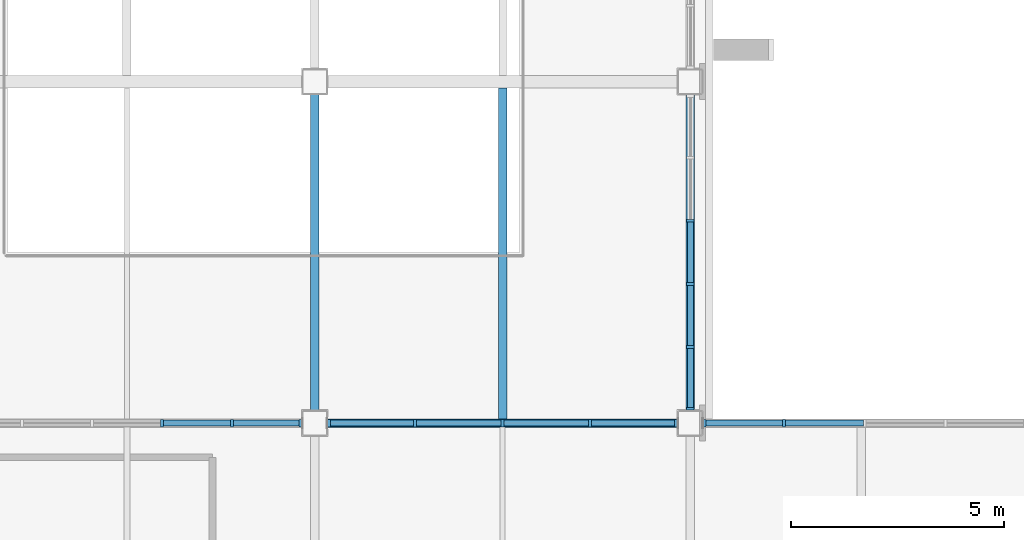
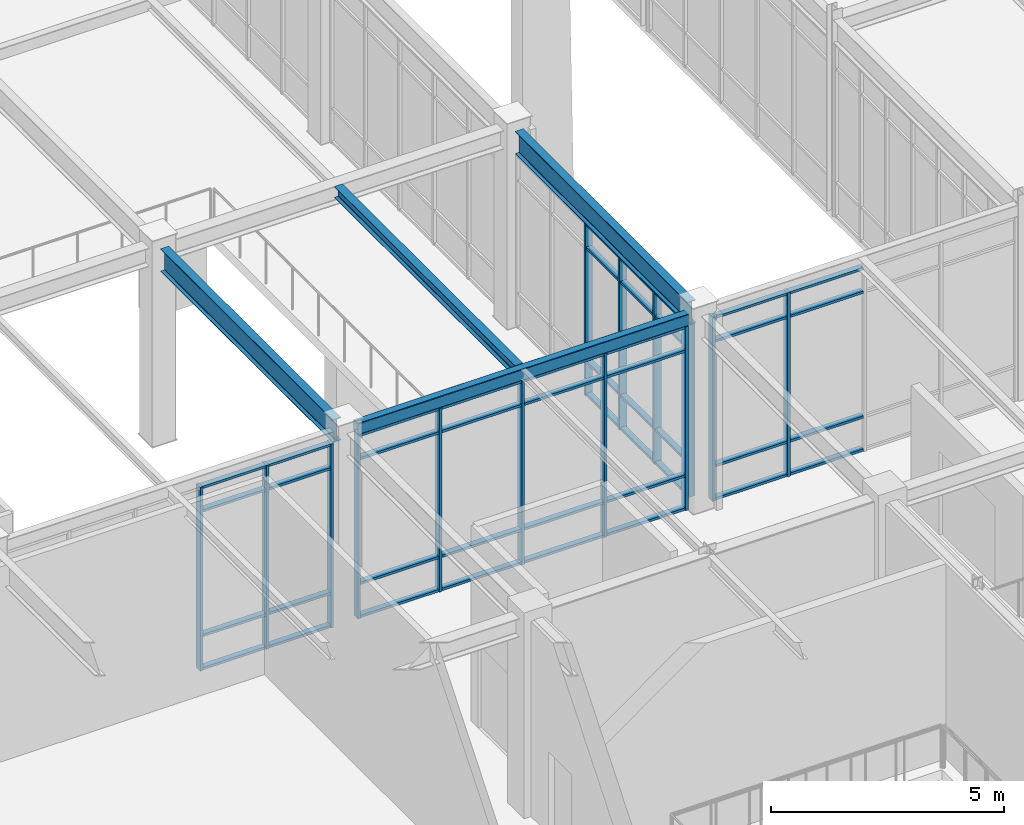
# One storey, part 33 of 184: 58 members, 4 beams, 4 elements without a shape of their own.
"""IFC4 building model written with IfcOpenShell, lengths in metres."""

from ifc_helpers import new_model, si_unit, direction, frame, origin, origin_2d, place, context, subcontext, project, spatial, rectangle, hollow_rectangle, i_section, extrude, material, material_profile, profile_set, type_object, element, aggregate, save


model = new_model("IFC4")

# Units and contexts
model_context = context("Model", 3, precision=1e-05, world=origin(), true_north=direction((0.0, 1.0)))
body_context = subcontext(model_context, "Body", "Model", "MODEL_VIEW")
ifc_project = project(units=[si_unit("LENGTHUNIT", "METRE"), si_unit("AREAUNIT", "SQUARE_METRE"), si_unit("VOLUMEUNIT", "CUBIC_METRE"), si_unit("PLANEANGLEUNIT", "RADIAN"), si_unit("MASSUNIT", "GRAM", prefix="KILO")], contexts=[model_context])

# Site, building, storey
site_placement = place(None, origin())
site = spatial("IfcSite", under=ifc_project, at=site_placement, CompositionType="ELEMENT")
building_placement = place(site_placement, origin())
building = spatial("IfcBuilding", under=site, at=building_placement, Name="Zhaolan Boulevard Law Courts", CompositionType="ELEMENT")
storey_placement = place(building_placement, frame((0.0, 0.0, 5.39990234375)))
storey = spatial("IfcBuildingStorey", under=building, at=storey_placement, Name="L01", CompositionType="ELEMENT", Elevation=5.39990234375)

# Curtain wall, members
ifc_material_1 = material(Name="Thermally broken aluminium and low-E glazing", Category="aluminium")
curtain_wall_type_1 = type_object("IfcCurtainWallType", Name="CURTAIN WALL M22", PredefinedType="USERDEFINED", material=ifc_material_1)
curtain_wall_1_placement = place(storey_placement, origin())
curtain_wall_1 = element("IfcCurtainWall", 1, at=curtain_wall_1_placement, inside=storey, type_object=curtain_wall_type_1, Name="Curtain Wall CW-L01-046", ObjectType="CURTAIN WALL", PredefinedType="USERDEFINED")
ifc_material_2 = material(Name="Fluorocarbon-coated aluminium 6063-T6", Category="aluminium")
ifc_material_profile_1 = material_profile(ifc_material_2, rectangle(XDim=0.179931640625, YDim=0.06494140625, at=origin_2d()), Name="AL65x180")
ifc_profile_set_1 = profile_set([ifc_material_profile_1], Name="Fluorocarbon-coated aluminium 6063-T6")
member_type_1 = type_object("IfcMemberType", Name="CWMULLION 65X180", PredefinedType="MULLION", material=ifc_profile_set_1)
member_1_placement = place(storey_placement, frame((34.865478515625, 30.0, 0.0), z_axis=(0.0, 0.0, 1.0), x_axis=(0.0, -1.0, 0.0)))
member_1 = element("IfcMember", 2, at=member_1_placement, type_object=member_type_1, Name="CW-L01-046 mullion 1", PredefinedType="MULLION", context=body_context, shape_type="SweptSolid", body=[
    extrude(rectangle(XDim=0.179931640625, YDim=0.06494140625, at=origin_2d()), origin(), (0.0, 0.0, 1.0), 4.822998046875),
])
member_2_placement = place(storey_placement, frame((33.2587890625, 30.0, 0.0), z_axis=(0.0, 0.0, 1.0), x_axis=(0.0, -1.0, 0.0)))
member_2 = element("IfcMember", 3, at=member_2_placement, type_object=member_type_1, Name="CW-L01-046 mullion 2", PredefinedType="MULLION", context=body_context, shape_type="SweptSolid", body=[
    extrude(rectangle(XDim=0.179931640625, YDim=0.06494140625, at=origin_2d()), origin(), (0.0, 0.0, 1.0), 4.822998046875),
])
member_3_placement = place(storey_placement, frame((31.61962890625, 30.0, 0.0), z_axis=(0.0, 0.0, 1.0), x_axis=(0.0, -1.0, 0.0)))
member_3 = element("IfcMember", 4, at=member_3_placement, type_object=member_type_1, Name="CW-L01-046 mullion 3", PredefinedType="MULLION", context=body_context, shape_type="SweptSolid", body=[
    extrude(rectangle(XDim=0.179931640625, YDim=0.06494140625, at=origin_2d()), origin(), (0.0, 0.0, 1.0), 4.822998046875),
])

ifc_material_3 = material(Name="Thermally broken aluminium and low-E glazing", Category="aluminium")
curtain_wall_type_2 = type_object("IfcCurtainWallType", Name="CURTAIN WALL M23", PredefinedType="USERDEFINED", material=ifc_material_3)
curtain_wall_2_placement = place(storey_placement, origin())
curtain_wall_2 = element("IfcCurtainWall", 5, at=curtain_wall_2_placement, inside=storey, type_object=curtain_wall_type_2, Name="Curtain Wall CW-L01-047", ObjectType="CURTAIN WALL", PredefinedType="USERDEFINED")
member_4_placement = place(storey_placement, frame((43.66552734375, 30.0, 0.0), z_axis=(0.0, 0.0, 1.0), x_axis=(0.0, -1.0, 0.0)))
member_4 = element("IfcMember", 6, at=member_4_placement, type_object=member_type_1, Name="CW-L01-047 mullion 1", PredefinedType="MULLION", context=body_context, shape_type="SweptSolid", body=[
    extrude(rectangle(XDim=0.179931640625, YDim=0.06494140625, at=origin_2d()), origin(), (0.0, 0.0, 1.0), 4.822998046875),
])
member_5_placement = place(storey_placement, frame((41.64892578125, 30.0, 0.0), z_axis=(0.0, 0.0, 1.0), x_axis=(0.0, -1.0, 0.0)))
member_5 = element("IfcMember", 7, at=member_5_placement, type_object=member_type_1, Name="CW-L01-047 mullion 2", PredefinedType="MULLION", context=body_context, shape_type="SweptSolid", body=[
    extrude(rectangle(XDim=0.179931640625, YDim=0.06494140625, at=origin_2d()), origin(), (0.0, 0.0, 1.0), 4.822998046875),
])
member_6_placement = place(storey_placement, frame((39.60009765625, 30.0, 0.0), z_axis=(0.0, 0.0, 1.0), x_axis=(0.0, -1.0, 0.0)))
member_6 = element("IfcMember", 8, at=member_6_placement, type_object=member_type_1, Name="CW-L01-047 mullion 3", PredefinedType="MULLION", context=body_context, shape_type="SweptSolid", body=[
    extrude(rectangle(XDim=0.179931640625, YDim=0.06494140625, at=origin_2d()), origin(), (0.0, 0.0, 1.0), 4.822998046875),
])
member_7_placement = place(storey_placement, frame((37.551025390625, 30.0, 0.0), z_axis=(0.0, 0.0, 1.0), x_axis=(0.0, -1.0, 0.0)))
member_7 = element("IfcMember", 9, at=member_7_placement, type_object=member_type_1, Name="CW-L01-047 mullion 4", PredefinedType="MULLION", context=body_context, shape_type="SweptSolid", body=[
    extrude(rectangle(XDim=0.179931640625, YDim=0.06494140625, at=origin_2d()), origin(), (0.0, 0.0, 1.0), 4.822998046875),
])
member_8_placement = place(storey_placement, frame((35.534423828125, 30.0, 0.0), z_axis=(0.0, 0.0, 1.0), x_axis=(0.0, -1.0, 0.0)))
member_8 = element("IfcMember", 10, at=member_8_placement, type_object=member_type_1, Name="CW-L01-047 mullion 5", PredefinedType="MULLION", context=body_context, shape_type="SweptSolid", body=[
    extrude(rectangle(XDim=0.179931640625, YDim=0.06494140625, at=origin_2d()), origin(), (0.0, 0.0, 1.0), 4.822998046875),
])

ifc_material_4 = material(Name="Thermally broken aluminium and low-E glazing", Category="aluminium")
curtain_wall_type_3 = type_object("IfcCurtainWallType", Name="CURTAIN WALL M24", PredefinedType="USERDEFINED", material=ifc_material_4)
curtain_wall_3_placement = place(storey_placement, origin())
curtain_wall_3 = element("IfcCurtainWall", 11, at=curtain_wall_3_placement, inside=storey, type_object=curtain_wall_type_3, Name="Curtain Wall CW-L01-048", ObjectType="CURTAIN WALL", PredefinedType="USERDEFINED")
member_9_placement = place(storey_placement, frame((46.19482421875, 30.0, 0.0), z_axis=(0.0, 0.0, 1.0), x_axis=(0.0, -1.0, 0.0)))
member_9 = element("IfcMember", 12, at=member_9_placement, type_object=member_type_1, Name="CW-L01-048 mullion 4", PredefinedType="MULLION", context=body_context, shape_type="SweptSolid", body=[
    extrude(rectangle(XDim=0.179931640625, YDim=0.06494140625, at=origin_2d()), origin(), (0.0, 0.0, 1.0), 4.822998046875),
])
member_10_placement = place(storey_placement, frame((44.33447265625, 30.0, 0.0), z_axis=(0.0, 0.0, 1.0), x_axis=(0.0, -1.0, 0.0)))
member_10 = element("IfcMember", 13, at=member_10_placement, type_object=member_type_1, Name="CW-L01-048 mullion 5", PredefinedType="MULLION", context=body_context, shape_type="SweptSolid", body=[
    extrude(rectangle(XDim=0.179931640625, YDim=0.06494140625, at=origin_2d()), origin(), (0.0, 0.0, 1.0), 4.822998046875),
])

ifc_material_5 = material(Name="Thermally broken aluminium and low-E glazing", Category="aluminium")
curtain_wall_type_4 = type_object("IfcCurtainWallType", Name="CURTAIN WALL M1", PredefinedType="USERDEFINED", material=ifc_material_5)
curtain_wall_4_placement = place(storey_placement, origin())
curtain_wall_4 = element("IfcCurtainWall", 14, at=curtain_wall_4_placement, inside=storey, type_object=curtain_wall_type_4, Name="Curtain Wall CW-L01-145", ObjectType="CURTAIN WALL", PredefinedType="USERDEFINED")
member_11_placement = place(storey_placement, frame((44.0, 30.33447265625, 0.0), z_axis=(0.0, 0.0, 1.0), x_axis=(-1.0, 0.0, 0.0)))
member_11 = element("IfcMember", 15, at=member_11_placement, type_object=member_type_1, Name="CW-L01-145 mullion 1", PredefinedType="MULLION", context=body_context, shape_type="SweptSolid", body=[
    extrude(rectangle(XDim=0.179931640625, YDim=0.06494140625, at=origin_2d()), origin(), (0.0, 0.0, 1.0), 4.523193359375),
])
member_12_placement = place(storey_placement, frame((44.0, 31.78125, 0.0), z_axis=(0.0, 0.0, 1.0), x_axis=(-1.0, 0.0, 0.0)))
member_12 = element("IfcMember", 16, at=member_12_placement, type_object=member_type_1, Name="CW-L01-145 mullion 2", PredefinedType="MULLION", context=body_context, shape_type="SweptSolid", body=[
    extrude(rectangle(XDim=0.179931640625, YDim=0.06494140625, at=origin_2d()), origin(), (0.0, 0.0, 1.0), 4.523193359375),
])
member_13_placement = place(storey_placement, frame((44.0, 33.260498046875, 0.0), z_axis=(0.0, 0.0, 1.0), x_axis=(-1.0, 0.0, 0.0)))
member_13 = element("IfcMember", 17, at=member_13_placement, type_object=member_type_1, Name="CW-L01-145 mullion 3", PredefinedType="MULLION", context=body_context, shape_type="SweptSolid", body=[
    extrude(rectangle(XDim=0.179931640625, YDim=0.06494140625, at=origin_2d()), origin(), (0.0, 0.0, 1.0), 4.523193359375),
])
member_14_placement = place(storey_placement, frame((44.0, 34.739501953125, 0.0), z_axis=(0.0, 0.0, 1.0), x_axis=(-1.0, 0.0, 0.0)))
member_14 = element("IfcMember", 18, at=member_14_placement, type_object=member_type_1, Name="CW-L01-145 mullion 4", PredefinedType="MULLION", context=body_context, shape_type="SweptSolid", body=[
    extrude(rectangle(XDim=0.179931640625, YDim=0.06494140625, at=origin_2d()), origin(), (0.0, 0.0, 1.0), 4.523193359375),
])

# Member
ifc_material_6 = material(Name="Fluorocarbon-coated aluminium 6063-T6", Category="aluminium")
ifc_material_profile_2 = material_profile(ifc_material_6, rectangle(XDim=0.139892578125, YDim=0.06494140625, at=origin_2d()), Name="AL65x140")
ifc_profile_set_2 = profile_set([ifc_material_profile_2], Name="Fluorocarbon-coated aluminium 6063-T6")
member_type_2 = type_object("IfcMemberType", Name="CWTRANSOM 65X140", PredefinedType="USERDEFINED", material=ifc_profile_set_2)
member_15_placement = place(storey_placement, frame((34.8330078125, 30.0, 0.03271484375), z_axis=(-1.0, 0.0, 0.0), x_axis=(0.0, -1.0, 0.0)))
member_15 = element("IfcMember", 19, at=member_15_placement, type_object=member_type_2, Name="CW-L01-046 transom 1.1", ObjectType="TRANSOM", PredefinedType="USERDEFINED", context=body_context, shape_type="SweptSolid", body=[
    extrude(rectangle(XDim=0.139892578125, YDim=0.06494140625, at=origin_2d()), origin(), (0.0, 0.0, 1.0), 1.541748046875),
])

member_16_placement = place(storey_placement, frame((34.8330078125, 30.0, 0.900146484375), z_axis=(-1.0, 0.0, 0.0), x_axis=(0.0, -1.0, 0.0)))
member_16 = element("IfcMember", 20, at=member_16_placement, type_object=member_type_2, Name="CW-L01-046 transom 1.2", ObjectType="TRANSOM", PredefinedType="USERDEFINED", context=body_context, shape_type="SweptSolid", body=[
    extrude(rectangle(XDim=0.139892578125, YDim=0.06494140625, at=origin_2d()), origin(), (0.0, 0.0, 1.0), 1.541748046875),
])

member_17_placement = place(storey_placement, frame((34.8330078125, 30.0, 4.173095703125), z_axis=(-1.0, 0.0, 0.0), x_axis=(0.0, -1.0, 0.0)))
member_17 = element("IfcMember", 21, at=member_17_placement, type_object=member_type_2, Name="CW-L01-046 transom 1.3", ObjectType="TRANSOM", PredefinedType="USERDEFINED", context=body_context, shape_type="SweptSolid", body=[
    extrude(rectangle(XDim=0.139892578125, YDim=0.06494140625, at=origin_2d()), origin(), (0.0, 0.0, 1.0), 1.541748046875),
])

member_18_placement = place(storey_placement, frame((34.8330078125, 30.0, 4.79052734375), z_axis=(-1.0, 0.0, 0.0), x_axis=(0.0, -1.0, 0.0)))
member_18 = element("IfcMember", 22, at=member_18_placement, type_object=member_type_2, Name="CW-L01-046 transom 1.4", ObjectType="TRANSOM", PredefinedType="USERDEFINED", context=body_context, shape_type="SweptSolid", body=[
    extrude(rectangle(XDim=0.139892578125, YDim=0.06494140625, at=origin_2d()), origin(), (0.0, 0.0, 1.0), 1.541748046875),
])

member_19_placement = place(storey_placement, frame((33.226318359375, 30.0, 0.03271484375), z_axis=(-1.0, 0.0, 0.0), x_axis=(0.0, -1.0, 0.0)))
member_19 = element("IfcMember", 23, at=member_19_placement, type_object=member_type_2, Name="CW-L01-046 transom 2.1", ObjectType="TRANSOM", PredefinedType="USERDEFINED", context=body_context, shape_type="SweptSolid", body=[
    extrude(rectangle(XDim=0.139892578125, YDim=0.06494140625, at=origin_2d()), origin(), (0.0, 0.0, 1.0), 1.57421875),
])

member_20_placement = place(storey_placement, frame((33.226318359375, 30.0, 0.900146484375), z_axis=(-1.0, 0.0, 0.0), x_axis=(0.0, -1.0, 0.0)))
member_20 = element("IfcMember", 24, at=member_20_placement, type_object=member_type_2, Name="CW-L01-046 transom 2.2", ObjectType="TRANSOM", PredefinedType="USERDEFINED", context=body_context, shape_type="SweptSolid", body=[
    extrude(rectangle(XDim=0.139892578125, YDim=0.06494140625, at=origin_2d()), origin(), (0.0, 0.0, 1.0), 1.57421875),
])

member_21_placement = place(storey_placement, frame((33.226318359375, 30.0, 4.173095703125), z_axis=(-1.0, 0.0, 0.0), x_axis=(0.0, -1.0, 0.0)))
member_21 = element("IfcMember", 25, at=member_21_placement, type_object=member_type_2, Name="CW-L01-046 transom 2.3", ObjectType="TRANSOM", PredefinedType="USERDEFINED", context=body_context, shape_type="SweptSolid", body=[
    extrude(rectangle(XDim=0.139892578125, YDim=0.06494140625, at=origin_2d()), origin(), (0.0, 0.0, 1.0), 1.57421875),
])

member_22_placement = place(storey_placement, frame((33.226318359375, 30.0, 4.79052734375), z_axis=(-1.0, 0.0, 0.0), x_axis=(0.0, -1.0, 0.0)))
member_22 = element("IfcMember", 26, at=member_22_placement, type_object=member_type_2, Name="CW-L01-046 transom 2.4", ObjectType="TRANSOM", PredefinedType="USERDEFINED", context=body_context, shape_type="SweptSolid", body=[
    extrude(rectangle(XDim=0.139892578125, YDim=0.06494140625, at=origin_2d()), origin(), (0.0, 0.0, 1.0), 1.57421875),
])

aggregate(curtain_wall_1, [member_1, member_2, member_3, member_15, member_16, member_17, member_18, member_19, member_20, member_21, member_22])

member_23_placement = place(storey_placement, frame((43.633056640625, 30.0, 0.03271484375), z_axis=(-1.0, 0.0, 0.0), x_axis=(0.0, -1.0, 0.0)))
member_23 = element("IfcMember", 27, at=member_23_placement, type_object=member_type_2, Name="CW-L01-047 transom 1.1", ObjectType="TRANSOM", PredefinedType="USERDEFINED", context=body_context, shape_type="SweptSolid", body=[
    extrude(rectangle(XDim=0.139892578125, YDim=0.06494140625, at=origin_2d()), origin(), (0.0, 0.0, 1.0), 1.95166015625),
])

member_24_placement = place(storey_placement, frame((43.633056640625, 30.0, 0.900146484375), z_axis=(-1.0, 0.0, 0.0), x_axis=(0.0, -1.0, 0.0)))
member_24 = element("IfcMember", 28, at=member_24_placement, type_object=member_type_2, Name="CW-L01-047 transom 1.2", ObjectType="TRANSOM", PredefinedType="USERDEFINED", context=body_context, shape_type="SweptSolid", body=[
    extrude(rectangle(XDim=0.139892578125, YDim=0.06494140625, at=origin_2d()), origin(), (0.0, 0.0, 1.0), 1.95166015625),
])

member_25_placement = place(storey_placement, frame((43.633056640625, 30.0, 4.173095703125), z_axis=(-1.0, 0.0, 0.0), x_axis=(0.0, -1.0, 0.0)))
member_25 = element("IfcMember", 29, at=member_25_placement, type_object=member_type_2, Name="CW-L01-047 transom 1.3", ObjectType="TRANSOM", PredefinedType="USERDEFINED", context=body_context, shape_type="SweptSolid", body=[
    extrude(rectangle(XDim=0.139892578125, YDim=0.06494140625, at=origin_2d()), origin(), (0.0, 0.0, 1.0), 1.95166015625),
])

member_26_placement = place(storey_placement, frame((43.633056640625, 30.0, 4.79052734375), z_axis=(-1.0, 0.0, 0.0), x_axis=(0.0, -1.0, 0.0)))
member_26 = element("IfcMember", 30, at=member_26_placement, type_object=member_type_2, Name="CW-L01-047 transom 1.4", ObjectType="TRANSOM", PredefinedType="USERDEFINED", context=body_context, shape_type="SweptSolid", body=[
    extrude(rectangle(XDim=0.139892578125, YDim=0.06494140625, at=origin_2d()), origin(), (0.0, 0.0, 1.0), 1.95166015625),
])

member_27_placement = place(storey_placement, frame((41.616455078125, 30.0, 0.03271484375), z_axis=(-1.0, 0.0, 0.0), x_axis=(0.0, -1.0, 0.0)))
member_27 = element("IfcMember", 31, at=member_27_placement, type_object=member_type_2, Name="CW-L01-047 transom 2.1", ObjectType="TRANSOM", PredefinedType="USERDEFINED", context=body_context, shape_type="SweptSolid", body=[
    extrude(rectangle(XDim=0.139892578125, YDim=0.06494140625, at=origin_2d()), origin(), (0.0, 0.0, 1.0), 1.98388671875),
])

member_28_placement = place(storey_placement, frame((41.616455078125, 30.0, 0.900146484375), z_axis=(-1.0, 0.0, 0.0), x_axis=(0.0, -1.0, 0.0)))
member_28 = element("IfcMember", 32, at=member_28_placement, type_object=member_type_2, Name="CW-L01-047 transom 2.2", ObjectType="TRANSOM", PredefinedType="USERDEFINED", context=body_context, shape_type="SweptSolid", body=[
    extrude(rectangle(XDim=0.139892578125, YDim=0.06494140625, at=origin_2d()), origin(), (0.0, 0.0, 1.0), 1.98388671875),
])

member_29_placement = place(storey_placement, frame((41.616455078125, 30.0, 4.173095703125), z_axis=(-1.0, 0.0, 0.0), x_axis=(0.0, -1.0, 0.0)))
member_29 = element("IfcMember", 33, at=member_29_placement, type_object=member_type_2, Name="CW-L01-047 transom 2.3", ObjectType="TRANSOM", PredefinedType="USERDEFINED", context=body_context, shape_type="SweptSolid", body=[
    extrude(rectangle(XDim=0.139892578125, YDim=0.06494140625, at=origin_2d()), origin(), (0.0, 0.0, 1.0), 1.98388671875),
])

member_30_placement = place(storey_placement, frame((41.616455078125, 30.0, 4.79052734375), z_axis=(-1.0, 0.0, 0.0), x_axis=(0.0, -1.0, 0.0)))
member_30 = element("IfcMember", 34, at=member_30_placement, type_object=member_type_2, Name="CW-L01-047 transom 2.4", ObjectType="TRANSOM", PredefinedType="USERDEFINED", context=body_context, shape_type="SweptSolid", body=[
    extrude(rectangle(XDim=0.139892578125, YDim=0.06494140625, at=origin_2d()), origin(), (0.0, 0.0, 1.0), 1.98388671875),
])

member_31_placement = place(storey_placement, frame((39.5673828125, 30.0, 0.03271484375), z_axis=(-1.0, 0.0, 0.0), x_axis=(0.0, -1.0, 0.0)))
member_31 = element("IfcMember", 35, at=member_31_placement, type_object=member_type_2, Name="CW-L01-047 transom 3.1", ObjectType="TRANSOM", PredefinedType="USERDEFINED", context=body_context, shape_type="SweptSolid", body=[
    extrude(rectangle(XDim=0.139892578125, YDim=0.06494140625, at=origin_2d()), origin(), (0.0, 0.0, 1.0), 1.98388671875),
])

member_32_placement = place(storey_placement, frame((39.5673828125, 30.0, 0.900146484375), z_axis=(-1.0, 0.0, 0.0), x_axis=(0.0, -1.0, 0.0)))
member_32 = element("IfcMember", 36, at=member_32_placement, type_object=member_type_2, Name="CW-L01-047 transom 3.2", ObjectType="TRANSOM", PredefinedType="USERDEFINED", context=body_context, shape_type="SweptSolid", body=[
    extrude(rectangle(XDim=0.139892578125, YDim=0.06494140625, at=origin_2d()), origin(), (0.0, 0.0, 1.0), 1.98388671875),
])

member_33_placement = place(storey_placement, frame((39.5673828125, 30.0, 4.173095703125), z_axis=(-1.0, 0.0, 0.0), x_axis=(0.0, -1.0, 0.0)))
member_33 = element("IfcMember", 37, at=member_33_placement, type_object=member_type_2, Name="CW-L01-047 transom 3.3", ObjectType="TRANSOM", PredefinedType="USERDEFINED", context=body_context, shape_type="SweptSolid", body=[
    extrude(rectangle(XDim=0.139892578125, YDim=0.06494140625, at=origin_2d()), origin(), (0.0, 0.0, 1.0), 1.98388671875),
])

member_34_placement = place(storey_placement, frame((39.5673828125, 30.0, 4.79052734375), z_axis=(-1.0, 0.0, 0.0), x_axis=(0.0, -1.0, 0.0)))
member_34 = element("IfcMember", 38, at=member_34_placement, type_object=member_type_2, Name="CW-L01-047 transom 3.4", ObjectType="TRANSOM", PredefinedType="USERDEFINED", context=body_context, shape_type="SweptSolid", body=[
    extrude(rectangle(XDim=0.139892578125, YDim=0.06494140625, at=origin_2d()), origin(), (0.0, 0.0, 1.0), 1.98388671875),
])

member_35_placement = place(storey_placement, frame((37.5185546875, 30.0, 0.03271484375), z_axis=(-1.0, 0.0, 0.0), x_axis=(0.0, -1.0, 0.0)))
member_35 = element("IfcMember", 39, at=member_35_placement, type_object=member_type_2, Name="CW-L01-047 transom 4.1", ObjectType="TRANSOM", PredefinedType="USERDEFINED", context=body_context, shape_type="SweptSolid", body=[
    extrude(rectangle(XDim=0.139892578125, YDim=0.06494140625, at=origin_2d()), origin(), (0.0, 0.0, 1.0), 1.95166015625),
])

member_36_placement = place(storey_placement, frame((37.5185546875, 30.0, 0.900146484375), z_axis=(-1.0, 0.0, 0.0), x_axis=(0.0, -1.0, 0.0)))
member_36 = element("IfcMember", 40, at=member_36_placement, type_object=member_type_2, Name="CW-L01-047 transom 4.2", ObjectType="TRANSOM", PredefinedType="USERDEFINED", context=body_context, shape_type="SweptSolid", body=[
    extrude(rectangle(XDim=0.139892578125, YDim=0.06494140625, at=origin_2d()), origin(), (0.0, 0.0, 1.0), 1.95166015625),
])

member_37_placement = place(storey_placement, frame((37.5185546875, 30.0, 4.173095703125), z_axis=(-1.0, 0.0, 0.0), x_axis=(0.0, -1.0, 0.0)))
member_37 = element("IfcMember", 41, at=member_37_placement, type_object=member_type_2, Name="CW-L01-047 transom 4.3", ObjectType="TRANSOM", PredefinedType="USERDEFINED", context=body_context, shape_type="SweptSolid", body=[
    extrude(rectangle(XDim=0.139892578125, YDim=0.06494140625, at=origin_2d()), origin(), (0.0, 0.0, 1.0), 1.95166015625),
])

member_38_placement = place(storey_placement, frame((37.5185546875, 30.0, 4.79052734375), z_axis=(-1.0, 0.0, 0.0), x_axis=(0.0, -1.0, 0.0)))
member_38 = element("IfcMember", 42, at=member_38_placement, type_object=member_type_2, Name="CW-L01-047 transom 4.4", ObjectType="TRANSOM", PredefinedType="USERDEFINED", context=body_context, shape_type="SweptSolid", body=[
    extrude(rectangle(XDim=0.139892578125, YDim=0.06494140625, at=origin_2d()), origin(), (0.0, 0.0, 1.0), 1.95166015625),
])

aggregate(curtain_wall_2, [member_4, member_5, member_6, member_7, member_8, member_23, member_24, member_25, member_26, member_27, member_28, member_29, member_30, member_31, member_32, member_33, member_34, member_35, member_36, member_37, member_38])

member_39_placement = place(storey_placement, frame((48.054931640625, 30.0, 0.03271484375), z_axis=(-1.0, 0.0, 0.0), x_axis=(0.0, -1.0, 0.0)))
member_39 = element("IfcMember", 43, at=member_39_placement, type_object=member_type_2, Name="CW-L01-048 transom 3.1", ObjectType="TRANSOM", PredefinedType="USERDEFINED", context=body_context, shape_type="SweptSolid", body=[
    extrude(rectangle(XDim=0.139892578125, YDim=0.06494140625, at=origin_2d()), origin(), (0.0, 0.0, 1.0), 1.82763671875),
])

member_40_placement = place(storey_placement, frame((48.054931640625, 30.0, 0.900146484375), z_axis=(-1.0, 0.0, 0.0), x_axis=(0.0, -1.0, 0.0)))
member_40 = element("IfcMember", 44, at=member_40_placement, type_object=member_type_2, Name="CW-L01-048 transom 3.2", ObjectType="TRANSOM", PredefinedType="USERDEFINED", context=body_context, shape_type="SweptSolid", body=[
    extrude(rectangle(XDim=0.139892578125, YDim=0.06494140625, at=origin_2d()), origin(), (0.0, 0.0, 1.0), 1.82763671875),
])

member_41_placement = place(storey_placement, frame((48.054931640625, 30.0, 4.173095703125), z_axis=(-1.0, 0.0, 0.0), x_axis=(0.0, -1.0, 0.0)))
member_41 = element("IfcMember", 45, at=member_41_placement, type_object=member_type_2, Name="CW-L01-048 transom 3.3", ObjectType="TRANSOM", PredefinedType="USERDEFINED", context=body_context, shape_type="SweptSolid", body=[
    extrude(rectangle(XDim=0.139892578125, YDim=0.06494140625, at=origin_2d()), origin(), (0.0, 0.0, 1.0), 1.82763671875),
])

member_42_placement = place(storey_placement, frame((48.054931640625, 30.0, 4.79052734375), z_axis=(-1.0, 0.0, 0.0), x_axis=(0.0, -1.0, 0.0)))
member_42 = element("IfcMember", 46, at=member_42_placement, type_object=member_type_2, Name="CW-L01-048 transom 3.4", ObjectType="TRANSOM", PredefinedType="USERDEFINED", context=body_context, shape_type="SweptSolid", body=[
    extrude(rectangle(XDim=0.139892578125, YDim=0.06494140625, at=origin_2d()), origin(), (0.0, 0.0, 1.0), 1.82763671875),
])

member_43_placement = place(storey_placement, frame((46.162353515625, 30.0, 0.03271484375), z_axis=(-1.0, 0.0, 0.0), x_axis=(0.0, -1.0, 0.0)))
member_43 = element("IfcMember", 47, at=member_43_placement, type_object=member_type_2, Name="CW-L01-048 transom 4.1", ObjectType="TRANSOM", PredefinedType="USERDEFINED", context=body_context, shape_type="SweptSolid", body=[
    extrude(rectangle(XDim=0.139892578125, YDim=0.06494140625, at=origin_2d()), origin(), (0.0, 0.0, 1.0), 1.79541015625),
])

member_44_placement = place(storey_placement, frame((46.162353515625, 30.0, 0.900146484375), z_axis=(-1.0, 0.0, 0.0), x_axis=(0.0, -1.0, 0.0)))
member_44 = element("IfcMember", 48, at=member_44_placement, type_object=member_type_2, Name="CW-L01-048 transom 4.2", ObjectType="TRANSOM", PredefinedType="USERDEFINED", context=body_context, shape_type="SweptSolid", body=[
    extrude(rectangle(XDim=0.139892578125, YDim=0.06494140625, at=origin_2d()), origin(), (0.0, 0.0, 1.0), 1.79541015625),
])

member_45_placement = place(storey_placement, frame((46.162353515625, 30.0, 4.173095703125), z_axis=(-1.0, 0.0, 0.0), x_axis=(0.0, -1.0, 0.0)))
member_45 = element("IfcMember", 49, at=member_45_placement, type_object=member_type_2, Name="CW-L01-048 transom 4.3", ObjectType="TRANSOM", PredefinedType="USERDEFINED", context=body_context, shape_type="SweptSolid", body=[
    extrude(rectangle(XDim=0.139892578125, YDim=0.06494140625, at=origin_2d()), origin(), (0.0, 0.0, 1.0), 1.79541015625),
])

member_46_placement = place(storey_placement, frame((46.162353515625, 30.0, 4.79052734375), z_axis=(-1.0, 0.0, 0.0), x_axis=(0.0, -1.0, 0.0)))
member_46 = element("IfcMember", 50, at=member_46_placement, type_object=member_type_2, Name="CW-L01-048 transom 4.4", ObjectType="TRANSOM", PredefinedType="USERDEFINED", context=body_context, shape_type="SweptSolid", body=[
    extrude(rectangle(XDim=0.139892578125, YDim=0.06494140625, at=origin_2d()), origin(), (0.0, 0.0, 1.0), 1.79541015625),
])

aggregate(curtain_wall_3, [member_9, member_10, member_39, member_40, member_41, member_42, member_43, member_44, member_45, member_46])

member_47_placement = place(storey_placement, frame((44.0, 30.366943359375, 0.03271484375), z_axis=(0.0, 1.0, 0.0), x_axis=(-1.0, 0.0, 0.0)))
member_47 = element("IfcMember", 51, at=member_47_placement, type_object=member_type_2, Name="CW-L01-145 transom 1.1", ObjectType="TRANSOM", PredefinedType="USERDEFINED", context=body_context, shape_type="SweptSolid", body=[
    extrude(rectangle(XDim=0.139892578125, YDim=0.06494140625, at=origin_2d()), origin(), (0.0, 0.0, 1.0), 1.3818359375),
])

member_48_placement = place(storey_placement, frame((44.0, 30.366943359375, 0.900146484375), z_axis=(0.0, 1.0, 0.0), x_axis=(-1.0, 0.0, 0.0)))
member_48 = element("IfcMember", 52, at=member_48_placement, type_object=member_type_2, Name="CW-L01-145 transom 1.2", ObjectType="TRANSOM", PredefinedType="USERDEFINED", context=body_context, shape_type="SweptSolid", body=[
    extrude(rectangle(XDim=0.139892578125, YDim=0.06494140625, at=origin_2d()), origin(), (0.0, 0.0, 1.0), 1.3818359375),
])

member_49_placement = place(storey_placement, frame((44.0, 30.366943359375, 3.873046875), z_axis=(0.0, 1.0, 0.0), x_axis=(-1.0, 0.0, 0.0)))
member_49 = element("IfcMember", 53, at=member_49_placement, type_object=member_type_2, Name="CW-L01-145 transom 1.3", ObjectType="TRANSOM", PredefinedType="USERDEFINED", context=body_context, shape_type="SweptSolid", body=[
    extrude(rectangle(XDim=0.139892578125, YDim=0.06494140625, at=origin_2d()), origin(), (0.0, 0.0, 1.0), 1.3818359375),
])

member_50_placement = place(storey_placement, frame((44.0, 30.366943359375, 4.490478515625), z_axis=(0.0, 1.0, 0.0), x_axis=(-1.0, 0.0, 0.0)))
member_50 = element("IfcMember", 54, at=member_50_placement, type_object=member_type_2, Name="CW-L01-145 transom 1.4", ObjectType="TRANSOM", PredefinedType="USERDEFINED", context=body_context, shape_type="SweptSolid", body=[
    extrude(rectangle(XDim=0.139892578125, YDim=0.06494140625, at=origin_2d()), origin(), (0.0, 0.0, 1.0), 1.3818359375),
])

member_51_placement = place(storey_placement, frame((44.0, 31.813720703125, 0.03271484375), z_axis=(0.0, 1.0, 0.0), x_axis=(-1.0, 0.0, 0.0)))
member_51 = element("IfcMember", 55, at=member_51_placement, type_object=member_type_2, Name="CW-L01-145 transom 2.1", ObjectType="TRANSOM", PredefinedType="USERDEFINED", context=body_context, shape_type="SweptSolid", body=[
    extrude(rectangle(XDim=0.139892578125, YDim=0.06494140625, at=origin_2d()), origin(), (0.0, 0.0, 1.0), 1.4140625),
])

member_52_placement = place(storey_placement, frame((44.0, 31.813720703125, 0.900146484375), z_axis=(0.0, 1.0, 0.0), x_axis=(-1.0, 0.0, 0.0)))
member_52 = element("IfcMember", 56, at=member_52_placement, type_object=member_type_2, Name="CW-L01-145 transom 2.2", ObjectType="TRANSOM", PredefinedType="USERDEFINED", context=body_context, shape_type="SweptSolid", body=[
    extrude(rectangle(XDim=0.139892578125, YDim=0.06494140625, at=origin_2d()), origin(), (0.0, 0.0, 1.0), 1.4140625),
])

member_53_placement = place(storey_placement, frame((44.0, 31.813720703125, 3.873046875), z_axis=(0.0, 1.0, 0.0), x_axis=(-1.0, 0.0, 0.0)))
member_53 = element("IfcMember", 57, at=member_53_placement, type_object=member_type_2, Name="CW-L01-145 transom 2.3", ObjectType="TRANSOM", PredefinedType="USERDEFINED", context=body_context, shape_type="SweptSolid", body=[
    extrude(rectangle(XDim=0.139892578125, YDim=0.06494140625, at=origin_2d()), origin(), (0.0, 0.0, 1.0), 1.4140625),
])

member_54_placement = place(storey_placement, frame((44.0, 31.813720703125, 4.490478515625), z_axis=(0.0, 1.0, 0.0), x_axis=(-1.0, 0.0, 0.0)))
member_54 = element("IfcMember", 58, at=member_54_placement, type_object=member_type_2, Name="CW-L01-145 transom 2.4", ObjectType="TRANSOM", PredefinedType="USERDEFINED", context=body_context, shape_type="SweptSolid", body=[
    extrude(rectangle(XDim=0.139892578125, YDim=0.06494140625, at=origin_2d()), origin(), (0.0, 0.0, 1.0), 1.4140625),
])

member_55_placement = place(storey_placement, frame((44.0, 33.29296875, 0.03271484375), z_axis=(0.0, 1.0, 0.0), x_axis=(-1.0, 0.0, 0.0)))
member_55 = element("IfcMember", 59, at=member_55_placement, type_object=member_type_2, Name="CW-L01-145 transom 3.1", ObjectType="TRANSOM", PredefinedType="USERDEFINED", context=body_context, shape_type="SweptSolid", body=[
    extrude(rectangle(XDim=0.139892578125, YDim=0.06494140625, at=origin_2d()), origin(), (0.0, 0.0, 1.0), 1.4140625),
])

member_56_placement = place(storey_placement, frame((44.0, 33.29296875, 0.900146484375), z_axis=(0.0, 1.0, 0.0), x_axis=(-1.0, 0.0, 0.0)))
member_56 = element("IfcMember", 60, at=member_56_placement, type_object=member_type_2, Name="CW-L01-145 transom 3.2", ObjectType="TRANSOM", PredefinedType="USERDEFINED", context=body_context, shape_type="SweptSolid", body=[
    extrude(rectangle(XDim=0.139892578125, YDim=0.06494140625, at=origin_2d()), origin(), (0.0, 0.0, 1.0), 1.4140625),
])

member_57_placement = place(storey_placement, frame((44.0, 33.29296875, 3.873046875), z_axis=(0.0, 1.0, 0.0), x_axis=(-1.0, 0.0, 0.0)))
member_57 = element("IfcMember", 61, at=member_57_placement, type_object=member_type_2, Name="CW-L01-145 transom 3.3", ObjectType="TRANSOM", PredefinedType="USERDEFINED", context=body_context, shape_type="SweptSolid", body=[
    extrude(rectangle(XDim=0.139892578125, YDim=0.06494140625, at=origin_2d()), origin(), (0.0, 0.0, 1.0), 1.4140625),
])

member_58_placement = place(storey_placement, frame((44.0, 33.29296875, 4.490478515625), z_axis=(0.0, 1.0, 0.0), x_axis=(-1.0, 0.0, 0.0)))
member_58 = element("IfcMember", 62, at=member_58_placement, type_object=member_type_2, Name="CW-L01-145 transom 3.4", ObjectType="TRANSOM", PredefinedType="USERDEFINED", context=body_context, shape_type="SweptSolid", body=[
    extrude(rectangle(XDim=0.139892578125, YDim=0.06494140625, at=origin_2d()), origin(), (0.0, 0.0, 1.0), 1.4140625),
])

aggregate(curtain_wall_4, [member_11, member_12, member_13, member_14, member_47, member_48, member_49, member_50, member_51, member_52, member_53, member_54, member_55, member_56, member_57, member_58])

# Beams
ifc_material_7 = material(Name="Structural steel Q355B", Category="steel")
ifc_material_profile_3 = material_profile(ifc_material_7, i_section(OverallWidth=0.199951171875, OverallDepth=0.60009765625, WebThickness=0.010986328125, FlangeThickness=0.01708984375, FilletRadius=0.02001953125, at=origin_2d()), Name="HN600x200")
ifc_profile_set_3 = profile_set([ifc_material_profile_3], Name="Structural steel Q355B")
beam_type_1 = type_object("IfcBeamType", Name="GIRDER HN600", PredefinedType="BEAM", material=ifc_profile_set_3)
for number, where, z_axis, x_axis, name in (
    (63, (35.199951171875, 30.2958984375, 4.838134765625), (0.0, 1.0, 0.0), (-1.0, 0.0, 0.0), "Beam BY-L02-5-E-F"),
    (64, (44.0, 30.2958984375, 4.838134765625), (0.0, 1.0, 0.0), (-1.0, 0.0, 0.0), "Beam BY-L02-6-E-F"),
):
    element("IfcBeam", number, at=place(storey_placement, frame(where, z_axis=z_axis, x_axis=x_axis)), inside=storey, type_object=beam_type_1, Name=name, PredefinedType="BEAM", context=body_context, shape_type="SweptSolid", body=[
        extrude(i_section(OverallWidth=0.199951171875, OverallDepth=0.60009765625, WebThickness=0.010986328125, FlangeThickness=0.01708984375, FilletRadius=0.02001953125, at=origin_2d()), origin(), (0.0, 0.0, 1.0), 7.408203125),
    ])
ifc_material_8 = material(Name="Structural steel Q355B", Category="steel")
ifc_material_profile_4 = material_profile(ifc_material_8, i_section(OverallWidth=0.199951171875, OverallDepth=0.2939453125, WebThickness=0.008056640625, FlangeThickness=0.011962890625, FilletRadius=0.01611328125, at=origin_2d()), Name="HM294x200")
ifc_profile_set_4 = profile_set([ifc_material_profile_4], Name="Structural steel Q355B")
beam_type_2 = type_object("IfcBeamType", Name="JOIST HM294", PredefinedType="JOIST", material=ifc_profile_set_4)
beam_1_placement = place(storey_placement, frame((39.60009765625, 30.095947265625, 4.9912109375), z_axis=(0.0, 1.0, 0.0), x_axis=(-1.0, 0.0, 0.0)))
element("IfcBeam", 65, at=beam_1_placement, inside=storey, type_object=beam_type_2, Name="Composite Joist J-L02-5E", PredefinedType="JOIST", context=body_context, shape_type="SweptSolid", body=[
    extrude(i_section(OverallWidth=0.199951171875, OverallDepth=0.2939453125, WebThickness=0.008056640625, FlangeThickness=0.011962890625, FilletRadius=0.01611328125, at=origin_2d()), origin(), (0.0, 0.0, 1.0), 7.758056640625),
])
ifc_material_9 = material(Name="Structural steel Q355B", Category="steel")
ifc_material_profile_5 = material_profile(ifc_material_9, hollow_rectangle(XDim=0.199951171875, YDim=0.300048828125, WallThickness=0.011962890625, InnerFilletRadius=0.011962890625, OuterFilletRadius=0.02392578125, at=origin_2d()), Name="HSS300x200x12")
ifc_profile_set_5 = profile_set([ifc_material_profile_5], Name="Structural steel Q355B")
beam_type_3 = type_object("IfcBeamType", Name="SPANDREL HSS300", PredefinedType="SPANDREL", material=ifc_profile_set_5)
beam_2_placement = place(storey_placement, frame((35.49609375, 30.0, 4.988037109375), z_axis=(1.0, 0.0, 0.0), x_axis=(0.0, 1.0, 0.0)))
element("IfcBeam", 66, at=beam_2_placement, inside=storey, type_object=beam_type_3, Name="Beam BX-L02-5-6-E", PredefinedType="SPANDREL", context=body_context, shape_type="SweptSolid", body=[
    extrude(hollow_rectangle(XDim=0.199951171875, YDim=0.300048828125, WallThickness=0.011962890625, InnerFilletRadius=0.011962890625, OuterFilletRadius=0.02392578125, at=origin_2d()), origin(), (0.0, 0.0, 1.0), 8.2080078125),
])

save(model, "model.ifc")
